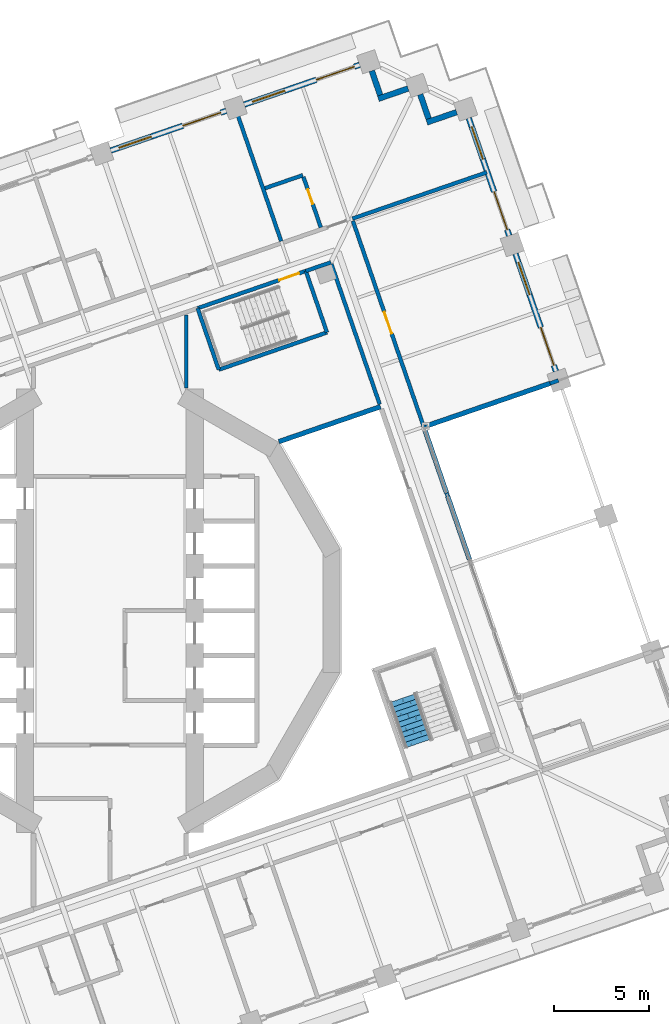
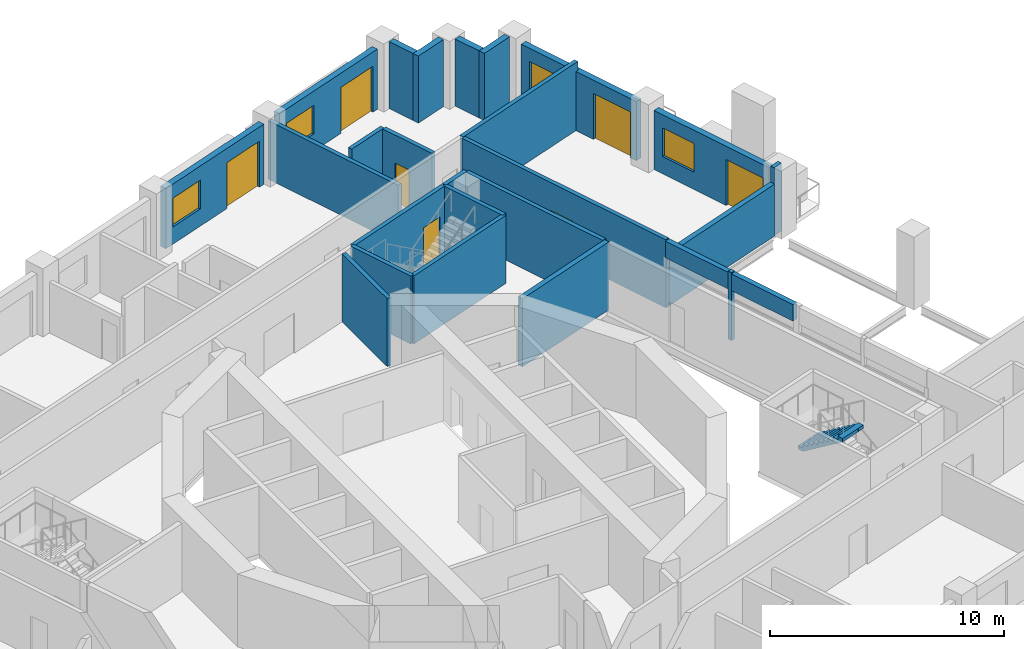
# One storey, part 13 of 21: 26 walls, 7 doors, 4 windows, 1 stair flight, 11 openings, 1 element without a shape of its own.
"""IFC4 building model written with IfcOpenShell, lengths in metres."""

from ifc_helpers import new_model, si_unit, direction, frame, frame_2d, origin, place, context, subcontext, project, spatial, polyline, rectangle, outline, extrude, material, layer, layer_set, type_object, element, fill, aggregate, save


model = new_model("IFC4")

# Units and contexts
model_context = context("Model", 3, precision=1e-05, world=origin(), true_north=direction((0.0, 1.0)))
body_context = subcontext(model_context, "Body", "Model", "MODEL_VIEW")
ifc_project = project(units=[si_unit("LENGTHUNIT", "METRE"), si_unit("AREAUNIT", "SQUARE_METRE"), si_unit("VOLUMEUNIT", "CUBIC_METRE"), si_unit("PLANEANGLEUNIT", "RADIAN"), si_unit("MASSUNIT", "GRAM", prefix="KILO")], contexts=[model_context])

# Site, building, storey
site_placement = place(None, origin())
site = spatial("IfcSite", under=ifc_project, at=site_placement, CompositionType="ELEMENT")
building_placement = place(site_placement, origin())
building = spatial("IfcBuilding", under=site, at=building_placement, Name="Cantera Rosa Tower", CompositionType="ELEMENT")
storey_placement = place(building_placement, frame((0.0, 0.0, 119.300048828125)))
storey = spatial("IfcBuildingStorey", under=building, at=storey_placement, Name="L24", CompositionType="ELEMENT", Elevation=119.300048828125)

# Walls
ifc_material_1 = material(Name="Gypsum board partition")
ifc_layer_1 = layer(ifc_material_1, 0.199951171875)
ifc_layer_set_1 = layer_set([ifc_layer_1], Name="CORRIDOR WALL 200 H3550")
wall_type_1 = type_object("IfcWallType", Name="CORRIDOR WALL 200 H3550", PredefinedType="PARTITIONING", material=ifc_layer_set_1)
wall_1_placement = place(storey_placement, frame((4.0, 15.51513671875, 0.0), z_axis=(0.0, 0.0, 1.0), x_axis=(0.0, -1.0, 0.0)))
element("IfcWall", 1, at=wall_1_placement, inside=storey, type_object=wall_type_1, Name="CORRIDOR WALL L24-070", PredefinedType="PARTITIONING", context=body_context, shape_type="SweptSolid", body=[
    extrude(rectangle(XDim=3.847900390625, YDim=0.199951171875, at=frame_2d((1.923828125, 0.0))), origin(), (0.0, 0.0, 1.0), 3.550048828125),
])
wall_2_placement = place(storey_placement, frame((11.583984375, 18.2666015625, 0.0), z_axis=(0.0, 0.0, 1.0), x_axis=(-0.945503834334, -0.325610963052, 0.0)))
element("IfcWall", 2, at=wall_2_placement, inside=storey, type_object=wall_type_1, Name="CORRIDOR WALL L24-092", PredefinedType="PARTITIONING", context=body_context, shape_type="SweptSolid", body=[
    extrude(rectangle(XDim=1.38720703125, YDim=0.199951171875, at=frame_2d((0.693603515625, 0.0))), origin(), (0.0, 0.0, 1.0), 3.550048828125),
])
wall_3_placement = place(storey_placement, frame((14.14306640625, 10.834716796875, 0.0), z_axis=(0.0, 0.0, 1.0), x_axis=(-0.325556282684, 0.945522663295, 0.0)))
element("IfcWall", 3, at=wall_3_placement, inside=storey, type_object=wall_type_1, Name="CORRIDOR WALL L24-096", PredefinedType="PARTITIONING", context=body_context, shape_type="SweptSolid", body=[
    extrude(rectangle(XDim=7.76025390625, YDim=0.199951171875, at=frame_2d((3.880126953125, 0.0))), origin(), (0.0, 0.0, 1.0), 3.550048828125),
])
wall_4_placement = place(storey_placement, frame((17.712890625, 5.996337890625, 0.0), z_axis=(0.0, 0.0, 1.0), x_axis=(-0.326029477127, 0.945359603561, 0.0)))
element("IfcWall", 4, at=wall_4_placement, inside=storey, type_object=wall_type_1, Name="CORRIDOR WALL L24-110", PredefinedType="PARTITIONING", context=body_context, shape_type="SweptSolid", body=[
    extrude(rectangle(XDim=0.19384765625, YDim=0.199951171875, at=frame_2d((0.096923828125, 0.0))), origin(), (0.0, 0.0, 1.0), 3.550048828125),
])

# Wall, opening, door
wall_5_placement = place(storey_placement, frame((16.497802734375, 9.525146484375, 0.0), z_axis=(0.0, 0.0, 1.0), x_axis=(-0.325576165676, 0.945515817077, 0.0)))
wall_5 = element("IfcWall", 5, at=wall_5_placement, inside=storey, type_object=wall_type_1, Name="CORRIDOR WALL L24-111", PredefinedType="PARTITIONING", context=body_context, shape_type="SweptSolid", body=[
    extrude(rectangle(XDim=11.544921875, YDim=0.199951171875, at=frame_2d((5.7724609375, 0.0))), origin(), (0.0, 0.0, 1.0), 3.550048828125),
])
opening_1_placement = place(wall_5_placement, frame((5.294921875, 0.0, 0.0)))
opening_1 = element("IfcOpeningElement", 6, at=opening_1_placement, cuts=wall_5, Name="Opening L24-014", PredefinedType="OPENING", context=body_context, shape_type="SweptSolid", body=[
    extrude(rectangle(XDim=1.199951171875, YDim=2.10009765625, at=frame_2d((0.60009765625, 1.050048828125))), frame((0.0, 0.10986328125, 0.0), z_axis=(0.0, -1.0, 0.0), x_axis=(1.0, 0.0, 0.0)), (0.0, 0.0, 1.0), 0.219970703125),
])
ifc_material_2 = material(Name="Timber door leaf", Category="wood")
door_type_1 = type_object("IfcDoorType", Name="ROOM DOOR 1200x2100", OperationType="NOTDEFINED", PredefinedType="DOOR", material=ifc_material_2)
door_1_placement = place(opening_1_placement, origin())
door_1 = element("IfcDoor", 7, at=door_1_placement, inside=storey, type_object=door_type_1, Name="DOOR L24-014", OperationType="NOTDEFINED", OverallHeight=2.10009765625, OverallWidth=1.199951171875, PredefinedType="DOOR", context=body_context, shape_type="SweptSolid", body=[
    extrude(rectangle(XDim=1.199951171875, YDim=2.10009765625, at=frame_2d((0.60009765625, 1.050048828125))), frame((0.0, 0.02490234375, 0.0), z_axis=(0.0, -1.0, 0.0), x_axis=(1.0, 0.0, 0.0)), (0.0, 0.0, 1.0), 0.050048828125),
])
fill(opening_1, door_1)

# Walls
ifc_material_3 = material(Name="Hollow clay masonry with cantera stone cladding", Category="masonry")
ifc_layer_2 = layer(ifc_material_3, 0.300048828125)
ifc_layer_set_2 = layer_set([ifc_layer_2], Name="EW-LOGGIA 300")
wall_type_2 = type_object("IfcWallType", Name="EW-LOGGIA 300", PredefinedType="SOLIDWALL", material=ifc_layer_set_2)
wall_6_placement = place(storey_placement, frame((18.17919921875, 26.142822265625, 0.0), z_axis=(0.0, 0.0, 1.0), x_axis=(-0.945530119553, -0.32553462645, 0.0)))
element("IfcWall", 8, at=wall_6_placement, inside=storey, type_object=wall_type_2, Name="EN-L24-W06a", PredefinedType="SOLIDWALL", context=body_context, shape_type="SweptSolid", body=[
    extrude(rectangle(XDim=1.64990234375, YDim=0.300048828125, at=frame_2d((0.824951171875, 0.0))), origin(), (0.0, 0.0, 1.0), 3.5),
])
wall_7_placement = place(storey_placement, frame((16.7119140625, 25.79638671875, 0.0), z_axis=(0.0, 0.0, 1.0), x_axis=(-0.325544748006, 0.945526634763, 0.0)))
element("IfcWall", 9, at=wall_7_placement, inside=storey, type_object=wall_type_2, Name="EN-L24-W06b", PredefinedType="SOLIDWALL", context=body_context, shape_type="SweptSolid", body=[
    extrude(rectangle(XDim=1.349853515625, YDim=0.300048828125, at=frame_2d((0.6748046875, 0.0))), origin(), (0.0, 0.0, 1.0), 3.5),
])
wall_8_placement = place(storey_placement, frame((15.636962890625, 27.3828125, 0.0), z_axis=(0.0, 0.0, 1.0), x_axis=(-0.945484566827, -0.325666906351, 0.0)))
element("IfcWall", 10, at=wall_8_placement, inside=storey, type_object=wall_type_2, Name="EN-L24-W07a", PredefinedType="SOLIDWALL", context=body_context, shape_type="SweptSolid", body=[
    extrude(rectangle(XDim=1.64990234375, YDim=0.300048828125, at=frame_2d((0.824951171875, 0.0))), origin(), (0.0, 0.0, 1.0), 3.5),
])
wall_9_placement = place(storey_placement, frame((14.169921875, 27.0361328125, 0.0), z_axis=(0.0, 0.0, 1.0), x_axis=(-0.325650742363, 0.945490134268, 0.0)))
element("IfcWall", 11, at=wall_9_placement, inside=storey, type_object=wall_type_2, Name="EN-L24-W07b", PredefinedType="SOLIDWALL", context=body_context, shape_type="SweptSolid", body=[
    extrude(rectangle(XDim=1.35009765625, YDim=0.300048828125, at=frame_2d((0.675048828125, 0.0))), origin(), (0.0, 0.0, 1.0), 3.5),
])

# Wall, openings, window, door
ifc_material_4 = material(Name="Hollow clay masonry with cantera stone cladding", Category="masonry")
ifc_layer_3 = layer(ifc_material_4, 0.300048828125)
ifc_layer_set_3 = layer_set([ifc_layer_3], Name="EW-LOGGIA 300 H3090")
wall_type_3 = type_object("IfcWallType", Name="EW-LOGGIA 300 H3090", PredefinedType="SOLIDWALL", material=ifc_layer_set_3)
wall_10_placement = place(storey_placement, frame((23.3857421875, 12.557861328125, 0.0), z_axis=(0.0, 0.0, 1.0), x_axis=(-0.325580990241, 0.945514155787, 0.0)))
wall_10 = element("IfcWall", 12, at=wall_10_placement, inside=storey, type_object=wall_type_3, Name="EN-L24-W04", PredefinedType="SOLIDWALL", context=body_context, shape_type="SweptSolid", body=[
    extrude(rectangle(XDim=6.52001953125, YDim=0.300048828125, at=frame_2d((3.260009765625, 0.0))), origin(), (0.0, 0.0, 1.0), 3.08984375),
])
opening_2_placement = place(wall_10_placement, frame((0.330078125, 0.0, 0.0)))
opening_2 = element("IfcOpeningElement", 13, at=opening_2_placement, cuts=wall_10, Name="Opening L24-TD03", PredefinedType="OPENING", context=body_context, shape_type="SweptSolid", body=[
    extrude(rectangle(XDim=2.10009765625, YDim=2.39990234375, at=frame_2d((1.050048828125, 1.199951171875))), frame((0.0, 0.159912109375, 0.0), z_axis=(0.0, -1.0, 0.0), x_axis=(1.0, 0.0, 0.0)), (0.0, 0.0, 1.0), 0.320068359375),
])
opening_3_placement = place(wall_10_placement, frame((4.239990234375, 0.0, 0.89990234375)))
opening_3 = element("IfcOpeningElement", 14, at=opening_3_placement, cuts=wall_10, Name="Opening L24-W04", PredefinedType="OPENING", context=body_context, shape_type="SweptSolid", body=[
    extrude(rectangle(XDim=1.800048828125, YDim=1.5, at=frame_2d((0.89990234375, 0.75))), frame((0.0, 0.159912109375, 0.0), z_axis=(0.0, -1.0, 0.0), x_axis=(1.0, 0.0, 0.0)), (0.0, 0.0, 1.0), 0.320068359375),
])
ifc_material_5 = material(Name="Aluminium frame with clear glass", Category="aluminium")
window_type = type_object("IfcWindowType", Name="Hotel room window 1800x1500", PartitioningType="DOUBLE_PANEL_VERTICAL", PredefinedType="WINDOW", material=ifc_material_5)
window_1_placement = place(opening_3_placement, origin())
window_1 = element("IfcWindow", 15, at=window_1_placement, inside=storey, type_object=window_type, Name="WINDOW L24-W04", OverallHeight=1.5, OverallWidth=1.800048828125, PartitioningType="SINGLE_PANEL", PredefinedType="WINDOW", context=body_context, shape_type="SweptSolid", body=[
    extrude(rectangle(XDim=1.800048828125, YDim=1.5, at=frame_2d((0.89990234375, 0.75))), frame((0.0, 0.030029296875, 0.0), z_axis=(0.0, -1.0, 0.0), x_axis=(1.0, 0.0, 0.0)), (0.0, 0.0, 1.0), 0.06005859375),
])
fill(opening_3, window_1)
ifc_material_6 = material(Name="Aluminium frame with clear glass", Category="aluminium")
door_type_2 = type_object("IfcDoorType", Name="TD-H 2100x2400", OperationType="NOTDEFINED", PredefinedType="DOOR", material=ifc_material_6)
door_2_placement = place(opening_2_placement, origin())
door_2 = element("IfcDoor", 16, at=door_2_placement, inside=storey, type_object=door_type_2, Name="LOGGIA DOOR L24-TD03", OperationType="SLIDING_TO_LEFT", OverallHeight=2.39990234375, OverallWidth=2.10009765625, PredefinedType="DOOR", context=body_context, shape_type="SweptSolid", body=[
    extrude(rectangle(XDim=2.10009765625, YDim=2.39990234375, at=frame_2d((1.050048828125, 1.199951171875))), frame((0.0, 0.02490234375, 0.0), z_axis=(0.0, -1.0, 0.0), x_axis=(1.0, 0.0, 0.0)), (0.0, 0.0, 1.0), 0.050048828125),
])
fill(opening_2, door_2)

wall_11_placement = place(storey_placement, frame((20.9375, 19.668212890625, 0.0), z_axis=(0.0, 0.0, 1.0), x_axis=(-0.325592517631, 0.945510186335, 0.0)))
wall_11 = element("IfcWall", 17, at=wall_11_placement, inside=storey, type_object=wall_type_3, Name="EN-L24-W05", PredefinedType="SOLIDWALL", context=body_context, shape_type="SweptSolid", body=[
    extrude(rectangle(XDim=6.519775390625, YDim=0.300048828125, at=frame_2d((3.259765625, 0.0))), origin(), (0.0, 0.0, 1.0), 3.08984375),
])
opening_4_placement = place(wall_11_placement, frame((0.330078125, 0.0, 0.0)))
opening_4 = element("IfcOpeningElement", 18, at=opening_4_placement, cuts=wall_11, Name="Opening L24-TD05", PredefinedType="OPENING", context=body_context, shape_type="SweptSolid", body=[
    extrude(rectangle(XDim=2.10009765625, YDim=2.39990234375, at=frame_2d((1.050048828125, 1.199951171875))), frame((0.0, 0.159912109375, 0.0), z_axis=(0.0, -1.0, 0.0), x_axis=(1.0, 0.0, 0.0)), (0.0, 0.0, 1.0), 0.320068359375),
])
opening_5_placement = place(wall_11_placement, frame((4.239990234375, 0.0, 0.89990234375)))
opening_5 = element("IfcOpeningElement", 19, at=opening_5_placement, cuts=wall_11, Name="Opening L24-W06", PredefinedType="OPENING", context=body_context, shape_type="SweptSolid", body=[
    extrude(rectangle(XDim=1.800048828125, YDim=1.5, at=frame_2d((0.89990234375, 0.75))), frame((0.0, 0.159912109375, 0.0), z_axis=(0.0, -1.0, 0.0), x_axis=(1.0, 0.0, 0.0)), (0.0, 0.0, 1.0), 0.320068359375),
])
window_2_placement = place(opening_5_placement, origin())
window_2 = element("IfcWindow", 20, at=window_2_placement, inside=storey, type_object=window_type, Name="WINDOW L24-W06", OverallHeight=1.5, OverallWidth=1.800048828125, PartitioningType="SINGLE_PANEL", PredefinedType="WINDOW", context=body_context, shape_type="SweptSolid", body=[
    extrude(rectangle(XDim=1.800048828125, YDim=1.5, at=frame_2d((0.89990234375, 0.75))), frame((0.0, 0.030029296875, 0.0), z_axis=(0.0, -1.0, 0.0), x_axis=(1.0, 0.0, 0.0)), (0.0, 0.0, 1.0), 0.06005859375),
])
fill(opening_5, window_2)
door_3_placement = place(opening_4_placement, origin())
door_3 = element("IfcDoor", 21, at=door_3_placement, inside=storey, type_object=door_type_2, Name="LOGGIA DOOR L24-TD05", OperationType="SLIDING_TO_LEFT", OverallHeight=2.39990234375, OverallWidth=2.10009765625, PredefinedType="DOOR", context=body_context, shape_type="SweptSolid", body=[
    extrude(rectangle(XDim=2.10009765625, YDim=2.39990234375, at=frame_2d((1.050048828125, 1.199951171875))), frame((0.0, 0.02490234375, 0.0), z_axis=(0.0, -1.0, 0.0), x_axis=(1.0, 0.0, 0.0)), (0.0, 0.0, 1.0), 0.050048828125),
])
fill(opening_4, door_3)

ifc_material_7 = material(Name="Hollow clay masonry with cantera stone cladding", Category="masonry")
ifc_layer_4 = layer(ifc_material_7, 0.300048828125)
ifc_layer_set_4 = layer_set([ifc_layer_4], Name="EW-LOGGIA 300 H3140")
wall_type_4 = type_object("IfcWallType", Name="EW-LOGGIA 300 H3140", PredefinedType="SOLIDWALL", material=ifc_layer_set_4)
wall_12_placement = place(storey_placement, frame((13.0947265625, 28.62255859375, 0.0), z_axis=(0.0, 0.0, 1.0), x_axis=(-0.945524496524, -0.325550958337, 0.0)))
wall_12 = element("IfcWall", 22, at=wall_12_placement, inside=storey, type_object=wall_type_4, Name="EN-L24-W08", PredefinedType="SOLIDWALL", context=body_context, shape_type="SweptSolid", body=[
    extrude(rectangle(XDim=6.39990234375, YDim=0.300048828125, at=frame_2d((3.199951171875, 0.0))), origin(), (0.0, 0.0, 1.0), 3.139892578125),
])
opening_6_placement = place(wall_12_placement, frame((0.300048828125, 0.0, 0.0)))
opening_6 = element("IfcOpeningElement", 23, at=opening_6_placement, cuts=wall_12, Name="Opening L24-TD07", PredefinedType="OPENING", context=body_context, shape_type="SweptSolid", body=[
    extrude(rectangle(XDim=2.10009765625, YDim=2.39990234375, at=frame_2d((1.050048828125, 1.199951171875))), frame((0.0, 0.159912109375, 0.0), z_axis=(0.0, -1.0, 0.0), x_axis=(1.0, 0.0, 0.0)), (0.0, 0.0, 1.0), 0.320068359375),
])
opening_7_placement = place(wall_12_placement, frame((4.14990234375, 0.0, 0.89990234375)))
opening_7 = element("IfcOpeningElement", 24, at=opening_7_placement, cuts=wall_12, Name="Opening L24-W08", PredefinedType="OPENING", context=body_context, shape_type="SweptSolid", body=[
    extrude(rectangle(XDim=1.800048828125, YDim=1.5, at=frame_2d((0.89990234375, 0.75))), frame((0.0, 0.159912109375, 0.0), z_axis=(0.0, -1.0, 0.0), x_axis=(1.0, 0.0, 0.0)), (0.0, 0.0, 1.0), 0.320068359375),
])
window_3_placement = place(opening_7_placement, origin())
window_3 = element("IfcWindow", 25, at=window_3_placement, inside=storey, type_object=window_type, Name="WINDOW L24-W08", OverallHeight=1.5, OverallWidth=1.800048828125, PartitioningType="SINGLE_PANEL", PredefinedType="WINDOW", context=body_context, shape_type="SweptSolid", body=[
    extrude(rectangle(XDim=1.800048828125, YDim=1.5, at=frame_2d((0.89990234375, 0.75))), frame((0.0, 0.030029296875, 0.0), z_axis=(0.0, -1.0, 0.0), x_axis=(1.0, 0.0, 0.0)), (0.0, 0.0, 1.0), 0.06005859375),
])
fill(opening_7, window_3)
door_4_placement = place(opening_6_placement, origin())
door_4 = element("IfcDoor", 26, at=door_4_placement, inside=storey, type_object=door_type_2, Name="LOGGIA DOOR L24-TD07", OperationType="SLIDING_TO_LEFT", OverallHeight=2.39990234375, OverallWidth=2.10009765625, PredefinedType="DOOR", context=body_context, shape_type="SweptSolid", body=[
    extrude(rectangle(XDim=2.10009765625, YDim=2.39990234375, at=frame_2d((1.050048828125, 1.199951171875))), frame((0.0, 0.02490234375, 0.0), z_axis=(0.0, -1.0, 0.0), x_axis=(1.0, 0.0, 0.0)), (0.0, 0.0, 1.0), 0.050048828125),
])
fill(opening_6, door_4)

wall_13_placement = place(storey_placement, frame((6.097900390625, 26.21337890625, 0.0), z_axis=(0.0, 0.0, 1.0), x_axis=(-0.945524496524, -0.325550958337, 0.0)))
wall_13 = element("IfcWall", 27, at=wall_13_placement, inside=storey, type_object=wall_type_4, Name="EN-L24-W09", PredefinedType="SOLIDWALL", context=body_context, shape_type="SweptSolid", body=[
    extrude(rectangle(XDim=6.39990234375, YDim=0.300048828125, at=frame_2d((3.199951171875, 0.0))), origin(), (0.0, 0.0, 1.0), 3.139892578125),
])
opening_8_placement = place(wall_13_placement, frame((0.300048828125, 0.0, 0.0)))
opening_8 = element("IfcOpeningElement", 28, at=opening_8_placement, cuts=wall_13, Name="Opening L24-TD09", PredefinedType="OPENING", context=body_context, shape_type="SweptSolid", body=[
    extrude(rectangle(XDim=2.10009765625, YDim=2.39990234375, at=frame_2d((1.050048828125, 1.199951171875))), frame((0.0, 0.159912109375, 0.0), z_axis=(0.0, -1.0, 0.0), x_axis=(1.0, 0.0, 0.0)), (0.0, 0.0, 1.0), 0.320068359375),
])
opening_9_placement = place(wall_13_placement, frame((4.14990234375, 0.0, 0.89990234375)))
opening_9 = element("IfcOpeningElement", 29, at=opening_9_placement, cuts=wall_13, Name="Opening L24-W10", PredefinedType="OPENING", context=body_context, shape_type="SweptSolid", body=[
    extrude(rectangle(XDim=1.800048828125, YDim=1.5, at=frame_2d((0.89990234375, 0.75))), frame((0.0, 0.159912109375, 0.0), z_axis=(0.0, -1.0, 0.0), x_axis=(1.0, 0.0, 0.0)), (0.0, 0.0, 1.0), 0.320068359375),
])
window_4_placement = place(opening_9_placement, origin())
window_4 = element("IfcWindow", 30, at=window_4_placement, inside=storey, type_object=window_type, Name="WINDOW L24-W10", OverallHeight=1.5, OverallWidth=1.800048828125, PartitioningType="SINGLE_PANEL", PredefinedType="WINDOW", context=body_context, shape_type="SweptSolid", body=[
    extrude(rectangle(XDim=1.800048828125, YDim=1.5, at=frame_2d((0.89990234375, 0.75))), frame((0.0, 0.030029296875, 0.0), z_axis=(0.0, -1.0, 0.0), x_axis=(1.0, 0.0, 0.0)), (0.0, 0.0, 1.0), 0.06005859375),
])
fill(opening_9, window_4)
door_5_placement = place(opening_8_placement, origin())
door_5 = element("IfcDoor", 31, at=door_5_placement, inside=storey, type_object=door_type_2, Name="LOGGIA DOOR L24-TD09", OperationType="SLIDING_TO_LEFT", OverallHeight=2.39990234375, OverallWidth=2.10009765625, PredefinedType="DOOR", context=body_context, shape_type="SweptSolid", body=[
    extrude(rectangle(XDim=2.10009765625, YDim=2.39990234375, at=frame_2d((1.050048828125, 1.199951171875))), frame((0.0, 0.02490234375, 0.0), z_axis=(0.0, -1.0, 0.0), x_axis=(1.0, 0.0, 0.0)), (0.0, 0.0, 1.0), 0.050048828125),
])
fill(opening_8, door_5)

# Walls
ifc_material_8 = material(Name="Concrete C40/50", Category="concrete")
ifc_layer_5 = layer(ifc_material_8, 0.25)
ifc_layer_set_5 = layer_set([ifc_layer_5], Name="EW-POCKET CHEEK 250 H2710")
wall_type_5 = type_object("IfcWallType", Name="EW-POCKET CHEEK 250 H2710", PredefinedType="SOLIDWALL", material=ifc_layer_set_5)
wall_14_placement = place(storey_placement, frame((23.07568359375, 11.92236328125, 0.0), z_axis=(0.0, 0.0, 1.0), x_axis=(-0.945512768123, -0.325585020105, 0.0)))
element("IfcWall", 32, at=wall_14_placement, inside=storey, type_object=wall_type_5, Name="POCKET CHEEK B L24", PredefinedType="SOLIDWALL", context=body_context, shape_type="SweptSolid", body=[
    extrude(rectangle(XDim=6.900146484375, YDim=0.25, at=frame_2d((3.4501953125, 0.0))), origin(), (0.0, 0.0, 1.0), 2.7099609375),
])
ifc_material_9 = material(Name="Hollow clay masonry with cantera stone cladding", Category="masonry")
ifc_layer_6 = layer(ifc_material_9, 0.25)
ifc_layer_set_6 = layer_set([ifc_layer_6], Name="EW-POCKET REAR 250")
wall_type_6 = type_object("IfcWallType", Name="EW-POCKET REAR 250", PredefinedType="SOLIDWALL", material=ifc_layer_set_6)
wall_15_placement = place(storey_placement, frame((18.851318359375, 2.68994140625, 2.634033203125), z_axis=(0.0, 0.0, 1.0), x_axis=(-0.325553869417, 0.945523494212, 0.0)))
element("IfcWall", 33, at=wall_15_placement, inside=storey, type_object=wall_type_6, Name="POCKET SPANDREL L24-3", PredefinedType="SOLIDWALL", context=body_context, shape_type="SweptSolid", body=[
    extrude(rectangle(XDim=3.496826171875, YDim=0.25, at=frame_2d((1.74853515625, 0.0))), origin(), (0.0, 0.0, 1.0), 0.865966796875),
])
wall_16_placement = place(storey_placement, frame((17.649658203125, 6.179931640625, 2.634033203125), z_axis=(0.0, 0.0, 1.0), x_axis=(-0.325569575998, 0.945518086122, 0.0)))
element("IfcWall", 34, at=wall_16_placement, inside=storey, type_object=wall_type_6, Name="POCKET SPANDREL L24-4", PredefinedType="SOLIDWALL", context=body_context, shape_type="SweptSolid", body=[
    extrude(rectangle(XDim=3.5380859375, YDim=0.25, at=frame_2d((1.76904296875, 0.0))), origin(), (0.0, 0.0, 1.0), 0.865966796875),
])
ifc_material_10 = material(Name="Gypsum board partition")
ifc_layer_7 = layer(ifc_material_10, 0.199951171875)
ifc_layer_set_7 = layer_set([ifc_layer_7], Name="PARTITION 200 H3550")
wall_type_7 = type_object("IfcWallType", Name="PARTITION 200 H3550", PredefinedType="PARTITIONING", material=ifc_layer_set_7)
wall_17_placement = place(storey_placement, frame((8.13037109375, 22.154052734375, 0.0), z_axis=(0.0, 0.0, 1.0), x_axis=(0.945533479579, 0.32552486694, 0.0)))
element("IfcWall", 35, at=wall_17_placement, inside=storey, type_object=wall_type_7, Name="PARTITION L24-085", PredefinedType="PARTITIONING", context=body_context, shape_type="SweptSolid", body=[
    extrude(rectangle(XDim=2.099853515625, YDim=0.199951171875, at=frame_2d((1.0498046875, 0.0))), origin(), (0.0, 0.0, 1.0), 3.550048828125),
])

# Wall, opening, door
wall_18_placement = place(storey_placement, frame((10.1484375, 22.7431640625, 0.0), z_axis=(0.0, 0.0, 1.0), x_axis=(0.325576835135, -0.945515586558, 0.0)))
wall_18 = element("IfcWall", 36, at=wall_18_placement, inside=storey, type_object=wall_type_7, Name="PARTITION L24-088", PredefinedType="PARTITIONING", context=body_context, shape_type="SweptSolid", body=[
    extrude(rectangle(XDim=2.800048828125, YDim=0.199951171875, at=frame_2d((1.39990234375, 0.0))), origin(), (0.0, 0.0, 1.0), 3.550048828125),
])
opening_10_placement = place(wall_18_placement, frame((0.699951171875, 0.0, 0.0)))
opening_10 = element("IfcOpeningElement", 37, at=opening_10_placement, cuts=wall_18, Name="Opening L24-026", PredefinedType="OPENING", context=body_context, shape_type="SweptSolid", body=[
    extrude(rectangle(XDim=0.800048828125, YDim=2.10009765625, at=frame_2d((0.39990234375, 1.050048828125))), frame((0.0, 0.10986328125, 0.0), z_axis=(0.0, -1.0, 0.0), x_axis=(1.0, 0.0, 0.0)), (0.0, 0.0, 1.0), 0.219970703125),
])
ifc_material_11 = material(Name="Timber door leaf", Category="wood")
door_type_3 = type_object("IfcDoorType", Name="BATHROOM DOOR 800x2100", OperationType="NOTDEFINED", PredefinedType="DOOR", material=ifc_material_11)
door_6_placement = place(opening_10_placement, origin())
door_6 = element("IfcDoor", 38, at=door_6_placement, inside=storey, type_object=door_type_3, Name="DOOR L24-026", OperationType="NOTDEFINED", OverallHeight=2.10009765625, OverallWidth=0.800048828125, PredefinedType="DOOR", context=body_context, shape_type="SweptSolid", body=[
    extrude(rectangle(XDim=0.800048828125, YDim=2.10009765625, at=frame_2d((0.39990234375, 1.050048828125))), frame((0.0, 0.02490234375, 0.0), z_axis=(0.0, -1.0, 0.0), x_axis=(1.0, 0.0, 0.0)), (0.0, 0.0, 1.0), 0.050048828125),
])
fill(opening_10, door_6)

# Walls
wall_19_placement = place(storey_placement, frame((23.52001953125, 12.0751953125, 0.0), z_axis=(0.0, 0.0, 1.0), x_axis=(-0.945626684637, -0.325254013507, 0.0)))
element("IfcWall", 39, at=wall_19_placement, inside=storey, type_object=wall_type_7, Name="PARTITION L24-112", PredefinedType="PARTITIONING", context=body_context, shape_type="SweptSolid", body=[
    extrude(rectangle(XDim=0.469970703125, YDim=0.199951171875, at=frame_2d((0.23486328125, 0.0))), origin(), (0.0, 0.0, 1.0), 3.550048828125),
])
ifc_material_12 = material(Name="Gypsum board partition")
ifc_layer_8 = layer(ifc_material_12, 0.199951171875)
ifc_layer_set_8 = layer_set([ifc_layer_8], Name="PARTY WALL 200 H3050")
wall_type_8 = type_object("IfcWallType", Name="PARTY WALL 200 H3050", PredefinedType="PARTITIONING", material=ifc_layer_set_8)
wall_20_placement = place(storey_placement, frame((6.58056640625, 26.347900390625, 0.0), z_axis=(0.0, 0.0, 1.0), x_axis=(0.325563917555, -0.945520034471, 0.0)))
element("IfcWall", 40, at=wall_20_placement, inside=storey, type_object=wall_type_8, Name="PARTY WALL L24-077", PredefinedType="PARTITIONING", context=body_context, shape_type="SweptSolid", body=[
    extrude(rectangle(XDim=7.3701171875, YDim=0.199951171875, at=frame_2d((3.68505859375, 0.0))), origin(), (0.0, 0.0, 1.0), 3.050048828125),
])
ifc_material_13 = material(Name="Gypsum board partition")
ifc_layer_9 = layer(ifc_material_13, 0.199951171875)
ifc_layer_set_9 = layer_set([ifc_layer_9], Name="PARTY WALL 200 H3550")
wall_type_9 = type_object("IfcWallType", Name="PARTY WALL 200 H3550", PredefinedType="PARTITIONING", material=ifc_layer_set_9)
wall_21_placement = place(storey_placement, frame((12.718994140625, 20.56103515625, 0.0), z_axis=(0.0, 0.0, 1.0), x_axis=(0.945513938048, 0.325581622574, 0.0)))
element("IfcWall", 41, at=wall_21_placement, inside=storey, type_object=wall_type_9, Name="PARTY WALL L24-094", PredefinedType="PARTITIONING", context=body_context, shape_type="SweptSolid", body=[
    extrude(rectangle(XDim=7.449951171875, YDim=0.199951171875, at=frame_2d((3.72509765625, 0.0))), origin(), (0.0, 0.0, 1.0), 3.550048828125),
])
ifc_material_14 = material(Name="Masonry blockwork", Category="masonry")
ifc_layer_10 = layer(ifc_material_14, 0.25)
ifc_layer_set_10 = layer_set([ifc_layer_10], Name="SHAFT WALL 250 H3550")
wall_type_10 = type_object("IfcWallType", Name="SHAFT WALL 250 H3550", PredefinedType="SOLIDWALL", material=ifc_layer_set_10)
wall_22_placement = place(storey_placement, frame((8.85302734375, 8.865234375, 0.0), z_axis=(0.0, 0.0, 1.0), x_axis=(0.945522304371, 0.325557325115, 0.0)))
element("IfcWall", 42, at=wall_22_placement, inside=storey, type_object=wall_type_10, Name="SHAFT WALL L24-087", PredefinedType="SOLIDWALL", context=body_context, shape_type="SweptSolid", body=[
    extrude(rectangle(XDim=5.64306640625, YDim=0.25, at=frame_2d((2.821533203125, 0.0))), origin(), (0.0, 0.0, 1.0), 3.550048828125),
])
ifc_material_15 = material(Name="Concrete C50/60", Category="concrete")
ifc_layer_11 = layer(ifc_material_15, 0.199951171875)
ifc_layer_set_11 = layer_set([ifc_layer_11], Name="STAIR WALL 200 H3550")
wall_type_11 = type_object("IfcWallType", Name="STAIR WALL 200 H3550", PredefinedType="SOLIDWALL", material=ifc_layer_set_11)
wall_23_placement = place(storey_placement, frame((5.708740234375, 12.6396484375, 0.0), z_axis=(0.0, 0.0, 1.0), x_axis=(-0.325562292844, 0.945520593894, 0.0)))
element("IfcWall", 43, at=wall_23_placement, inside=storey, type_object=wall_type_11, Name="STAIR WALL L24-076", PredefinedType="SOLIDWALL", context=body_context, shape_type="SweptSolid", body=[
    extrude(rectangle(XDim=3.407470703125, YDim=0.199951171875, at=frame_2d((1.70361328125, 0.0))), origin(), (0.0, 0.0, 1.0), 3.550048828125),
])

# Wall, opening, door
wall_24_placement = place(storey_placement, frame((10.2724609375, 17.81494140625, 0.0), z_axis=(0.0, 0.0, 1.0), x_axis=(-0.945520338581, -0.325563034341, 0.0)))
wall_24 = element("IfcWall", 44, at=wall_24_placement, inside=storey, type_object=wall_type_11, Name="STAIR WALL L24-089", PredefinedType="SOLIDWALL", context=body_context, shape_type="SweptSolid", body=[
    extrude(rectangle(XDim=6.0, YDim=0.199951171875, at=frame_2d((3.0, 0.0))), origin(), (0.0, 0.0, 1.0), 3.550048828125),
])
opening_11_placement = place(wall_24_placement, frame((0.375, 0.0, 0.0)))
opening_11 = element("IfcOpeningElement", 45, at=opening_11_placement, cuts=wall_24, Name="Opening L24-001", PredefinedType="OPENING", context=body_context, shape_type="SweptSolid", body=[
    extrude(rectangle(XDim=1.10009765625, YDim=2.10009765625, at=frame_2d((0.550048828125, 1.050048828125))), frame((0.0, 0.10986328125, 0.0), z_axis=(0.0, -1.0, 0.0), x_axis=(1.0, 0.0, 0.0)), (0.0, 0.0, 1.0), 0.219970703125),
])
ifc_material_16 = material(Name="Steel S355J2 (EN 10025-2)", Category="steel")
door_type_4 = type_object("IfcDoorType", Name="STAIR DOOR 1100x2100", OperationType="NOTDEFINED", PredefinedType="DOOR", material=ifc_material_16)
door_7_placement = place(opening_11_placement, origin())
door_7 = element("IfcDoor", 46, at=door_7_placement, inside=storey, type_object=door_type_4, Name="DOOR L24-001", OperationType="NOTDEFINED", OverallHeight=2.10009765625, OverallWidth=1.10009765625, PredefinedType="DOOR", context=body_context, shape_type="SweptSolid", body=[
    extrude(rectangle(XDim=1.10009765625, YDim=2.10009765625, at=frame_2d((0.550048828125, 1.050048828125))), frame((0.0, 0.02490234375, 0.0), z_axis=(0.0, -1.0, 0.0), x_axis=(1.0, 0.0, 0.0)), (0.0, 0.0, 1.0), 0.050048828125),
])
fill(opening_11, door_7)

# Walls
wall_25_placement = place(storey_placement, frame((10.2724609375, 17.81494140625, 0.0), z_axis=(0.0, 0.0, 1.0), x_axis=(0.325562292844, -0.945520593894, 0.0)))
element("IfcWall", 47, at=wall_25_placement, inside=storey, type_object=wall_type_11, Name="STAIR WALL L24-090", PredefinedType="SOLIDWALL", context=body_context, shape_type="SweptSolid", body=[
    extrude(rectangle(XDim=3.407470703125, YDim=0.199951171875, at=frame_2d((1.70361328125, 0.0))), origin(), (0.0, 0.0, 1.0), 3.550048828125),
])
wall_26_placement = place(storey_placement, frame((11.3818359375, 14.593017578125, 0.0), z_axis=(0.0, 0.0, 1.0), x_axis=(-0.945520338581, -0.325563034341, 0.0)))
element("IfcWall", 48, at=wall_26_placement, inside=storey, type_object=wall_type_11, Name="STAIR WALL L24-091", PredefinedType="SOLIDWALL", context=body_context, shape_type="SweptSolid", body=[
    extrude(rectangle(XDim=6.0, YDim=0.199951171875, at=frame_2d((3.0, 0.0))), origin(), (0.0, 0.0, 1.0), 3.550048828125),
])

# Stair, stair flight
ifc_material_17 = material(Name="Concrete C35/45", Category="concrete")
stair_type = type_object("IfcStairType", Name="EXIT STAIR 1350 DOGLEG", PredefinedType="HALF_TURN_STAIR", material=ifc_material_17)
stair_placement = place(storey_placement, origin())
stair = element("IfcStair", 49, at=stair_placement, inside=storey, type_object=stair_type, Name="L24 ST-23", PredefinedType="HALF_TURN_STAIR")
ifc_material_18 = material(Name="Concrete C35/45", Category="concrete")
stair_flight_type = type_object("IfcStairFlightType", Name="STAIR FLIGHT 1350 R20x190", PredefinedType="STRAIGHT", material=ifc_material_18)
stair_flight_placement = place(storey_placement, frame((15.326171875, -4.585205078125, 1.89990234375), z_axis=(0.0, 0.0, 1.0), x_axis=(0.325568154457, -0.945518575599, 0.0)))
stair_flight = element("IfcStairFlight", 50, at=stair_flight_placement, type_object=stair_flight_type, Name="ST-23 flight 2", NumberOfRisers=10, NumberOfTreads=9, PredefinedType="STRAIGHT", RiserHeight=0.19, TreadLength=0.28, context=body_context, shape_type="SweptSolid", body=[
    extrude(outline(polyline([(0.0, 0.0), (0.0, 0.18994140625), (0.280029296875, 0.18994140625), (0.280029296875, 0.3798828125), (0.56005859375, 0.3798828125), (0.56005859375, 0.570068359375), (0.840087890625, 0.570068359375), (0.840087890625, 0.760009765625), (1.1201171875, 0.760009765625), (1.1201171875, 0.949951171875), (1.39990234375, 0.949951171875), (1.39990234375, 1.139892578125), (1.679931640625, 1.139892578125), (1.679931640625, 1.330078125), (1.9599609375, 1.330078125), (1.9599609375, 1.52001953125), (2.239990234375, 1.52001953125), (2.239990234375, 1.7099609375), (2.52001953125, 1.7099609375), (2.52001953125, 1.89990234375), (2.52001953125, 1.52880859375), (0.266845703125, 0.0), (0.0, 0.0)])), frame((0.0, 0.675048828125, 0.0), z_axis=(0.0, -1.0, 0.0), x_axis=(1.0, 0.0, 0.0)), (0.0, 0.0, 1.0), 0.3359375),
    extrude(outline(polyline([(0.0, 0.0), (0.0, 0.18994140625), (0.280029296875, 0.18994140625), (0.280029296875, 0.3798828125), (0.56005859375, 0.3798828125), (0.56005859375, 0.570068359375), (0.840087890625, 0.570068359375), (0.840087890625, 0.760009765625), (1.1201171875, 0.760009765625), (1.1201171875, 0.949951171875), (1.39990234375, 0.949951171875), (1.39990234375, 1.139892578125), (1.679931640625, 1.139892578125), (1.679931640625, 1.330078125), (1.9599609375, 1.330078125), (1.9599609375, 1.52001953125), (2.239990234375, 1.52001953125), (2.239990234375, 1.7099609375), (2.52001953125, 1.7099609375), (2.52001953125, 1.89990234375), (2.52001953125, 1.52880859375), (0.266845703125, 0.0), (0.0, 0.0)])), frame((0.0, 0.337158203125, 0.0), z_axis=(0.0, -1.0, 0.0), x_axis=(1.0, 0.0, 0.0)), (0.0, 0.0, 1.0), 0.3359375),
    extrude(outline(polyline([(0.0, 0.0), (0.0, 0.18994140625), (0.280029296875, 0.18994140625), (0.280029296875, 0.3798828125), (0.56005859375, 0.3798828125), (0.56005859375, 0.570068359375), (0.840087890625, 0.570068359375), (0.840087890625, 0.760009765625), (1.1201171875, 0.760009765625), (1.1201171875, 0.949951171875), (1.39990234375, 0.949951171875), (1.39990234375, 1.139892578125), (1.679931640625, 1.139892578125), (1.679931640625, 1.330078125), (1.9599609375, 1.330078125), (1.9599609375, 1.52001953125), (2.239990234375, 1.52001953125), (2.239990234375, 1.7099609375), (2.52001953125, 1.7099609375), (2.52001953125, 1.89990234375), (2.52001953125, 1.52880859375), (0.266845703125, 0.0), (0.0, 0.0)])), frame((0.0, -0.000732421875, 0.0), z_axis=(0.0, -1.0, 0.0), x_axis=(1.0, 0.0, 0.0)), (0.0, 0.0, 1.0), 0.3359375),
    extrude(outline(polyline([(0.0, 0.0), (0.0, 0.18994140625), (0.280029296875, 0.18994140625), (0.280029296875, 0.3798828125), (0.56005859375, 0.3798828125), (0.56005859375, 0.570068359375), (0.840087890625, 0.570068359375), (0.840087890625, 0.760009765625), (1.1201171875, 0.760009765625), (1.1201171875, 0.949951171875), (1.39990234375, 0.949951171875), (1.39990234375, 1.139892578125), (1.679931640625, 1.139892578125), (1.679931640625, 1.330078125), (1.9599609375, 1.330078125), (1.9599609375, 1.52001953125), (2.239990234375, 1.52001953125), (2.239990234375, 1.7099609375), (2.52001953125, 1.7099609375), (2.52001953125, 1.89990234375), (2.52001953125, 1.52880859375), (0.266845703125, 0.0), (0.0, 0.0)])), frame((0.0, -0.338623046875, 0.0), z_axis=(0.0, -1.0, 0.0), x_axis=(1.0, 0.0, 0.0)), (0.0, 0.0, 1.0), 0.3359375),
])
aggregate(stair, [stair_flight])

save(model, "model.ifc")
